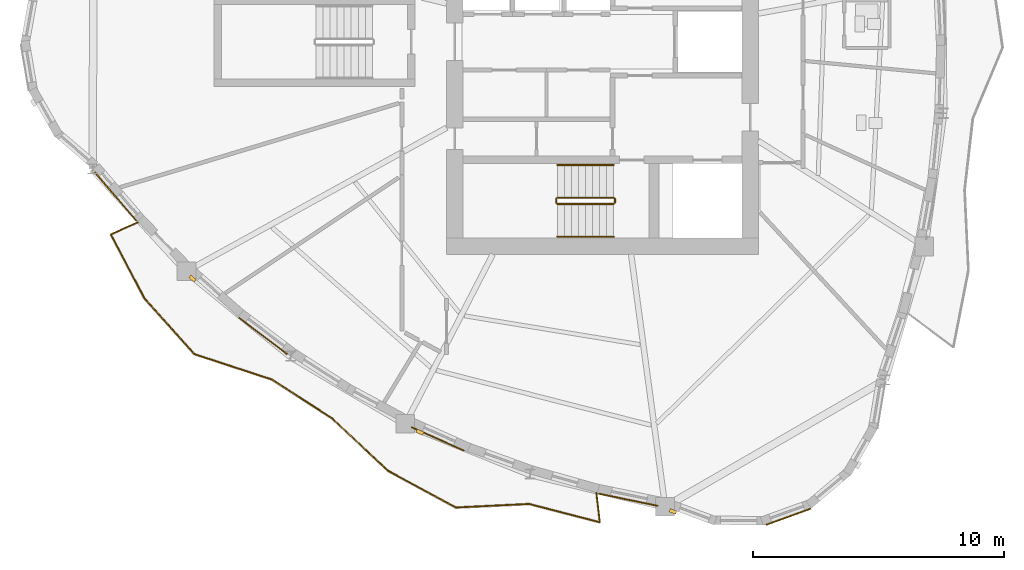
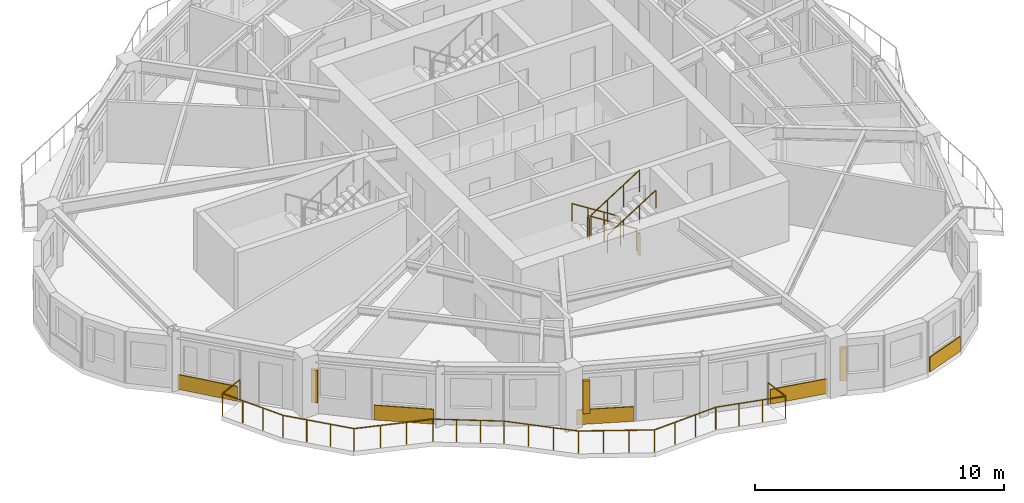
# One storey, part 9 of 12: 7 railings, 5 coverings, 3 shading devices.
"""IFC4 building model written with IfcOpenShell, lengths in metres."""

from ifc_helpers import new_model, si_unit, direction, frame, origin, origin_2d, place, context, subcontext, project, spatial, rectangle, circle, extrude, source, transform, mapped, material, layer, layer_set, type_object, element, save


model = new_model("IFC4")

# Units and contexts
model_context = context("Model", 3, precision=1e-05, world=origin(), true_north=direction((0.0, 1.0)))
body_context = subcontext(model_context, "Body", "Model", "MODEL_VIEW")
ifc_project = project(units=[si_unit("LENGTHUNIT", "METRE"), si_unit("AREAUNIT", "SQUARE_METRE"), si_unit("VOLUMEUNIT", "CUBIC_METRE"), si_unit("PLANEANGLEUNIT", "RADIAN"), si_unit("MASSUNIT", "GRAM", prefix="KILO")], contexts=[model_context])

# Site, building, storey
site_placement = place(None, origin())
site = spatial("IfcSite", under=ifc_project, at=site_placement, CompositionType="ELEMENT")
building_placement = place(site_placement, origin())
building = spatial("IfcBuilding", under=site, at=building_placement, Name="Qafzar Sky-Pleat Residences", CompositionType="ELEMENT")
storey_placement = place(building_placement, frame((0.0, 0.0, 145.800048828125)))
storey = spatial("IfcBuildingStorey", under=building, at=storey_placement, Name="L43", CompositionType="ELEMENT", Elevation=145.800048828125)

# Shading devices
ifc_material_1 = material(Name="Honed Riyadh limestone solar fin", Category="masonry")
ifc_layer_1 = layer(ifc_material_1, 0.139892578125)
ifc_layer_set_1 = layer_set([ifc_layer_1], Name="Honed Riyadh limestone solar fin")
shading_device_type = type_object("IfcShadingDeviceType", Name="SHD-FIN-STONE", PredefinedType="SHUTTER", material=ifc_layer_set_1)
shared_shape_1 = source(origin(), body_context, "Body", "SweptSolid", [
    extrude(rectangle(XDim=0.139892578125, YDim=0.280029296875, at=origin_2d()), origin(), (0.0, 0.0, 1.0), 1.60009765625),
])
for number, where, z_axis, x_axis, name in (
    (1, (14.044189453125, 16.58251953125, 0.599853515625), (0.0, 0.0, 1.0), (-0.660154622543, -0.751129732027, 0.0), "L43 Limestone Solar Fin 9"),
    (2, (23.09228515625, 10.475341796875, 0.599853515625), (0.0, 0.0, 1.0), (-0.407514902881, -0.913198556684, 0.0), "L43 Limestone Solar Fin 13"),
    (3, (33.1533203125, 7.322021484375, 0.599853515625), (0.0, 0.0, 1.0), (-0.349548623526, -0.936918224709, 0.0), "L43 Limestone Solar Fin 17"),
):
    element("IfcShadingDevice", number, at=place(storey_placement, frame(where, z_axis=z_axis, x_axis=x_axis)), inside=storey, type_object=shading_device_type, Name=name, PredefinedType="SHUTTER", context=body_context, shape_type="MappedRepresentation", body=[
        mapped(shared_shape_1, transform((0.0, 0.0, 0.0), x_axis=(1.0, 0.0, 0.0), y_axis=(0.0, 1.0, 0.0), z_axis=(0.0, 0.0, 1.0), scale=1.0)),
    ])

# Covering
ifc_material_2 = material(Name="Honed Riyadh Tuwaiq limestone cladding", Category="masonry")
ifc_layer_2 = layer(ifc_material_2, 0.044921875)
ifc_layer_set_2 = layer_set([ifc_layer_2], Name="Honed Riyadh Tuwaiq limestone cladding")
covering_type = type_object("IfcCoveringType", Name="COV-CLAD-STONE", PredefinedType="CLADDING", material=ifc_layer_set_2)
shared_shape_2 = source(origin(), body_context, "Body", "SweptSolid", [
    extrude(rectangle(XDim=1.897705078125, YDim=0.044921875, at=origin_2d()), origin(), (0.0, 0.0, 1.0), 0.719970703125),
])
covering_1_placement = place(storey_placement, frame((37.74560546875, 7.111328125, 0.02001953125), z_axis=(0.0, 0.0, 1.0), x_axis=(0.940241244016, 0.340509035199, 0.0)))
element("IfcCovering", 4, at=covering_1_placement, inside=storey, type_object=covering_type, Name="L43 Riyadh Limestone Spandrel Cladding 19", PredefinedType="CLADDING", context=body_context, shape_type="MappedRepresentation", body=[
    mapped(shared_shape_2, transform((0.0, 0.0, 0.0), x_axis=(1.0, 0.0, 0.0), y_axis=(0.0, 1.0, 0.0), z_axis=(0.0, 0.0, 1.0), scale=1.0)),
])

# Railing
ifc_material_3 = material(Name="Laminated glass and bronze steel balustrade", Category="steel")
railing_type_1 = type_object("IfcRailingType", Name="RAIL-BAL-1100", PredefinedType="BALUSTRADE", material=ifc_material_3)
shared_shape_3 = source(origin(), body_context, "Body", "SweptSolid", [
    extrude(circle(Radius=0.02392578125, at=origin_2d()), frame((0.0, 0.0, 1.076171875), z_axis=(-0.913554917383, -0.406715395486, 0.0), x_axis=(0.406715395486, -0.913554917383, 0.0)), (0.0, 0.0, 1.0), 1.177734375),
    extrude(circle(Radius=0.02392578125, at=origin_2d()), frame((-1.075927734375, -0.47900390625, 1.076171875), z_axis=(0.464378787341, -0.885636687286, 0.0), x_axis=(0.885636687286, 0.464378787341, 0.0)), (0.0, 0.0, 1.0), 2.87060546875),
    extrude(circle(Radius=0.02392578125, at=origin_2d()), frame((0.257080078125, -3.021240234375, 1.076171875), z_axis=(0.667835474356, -0.744308927255, 0.0), x_axis=(0.744308927255, 0.667835474356, 0.0)), (0.0, 0.0, 1.0), 2.98828125),
    extrude(circle(Radius=0.02392578125, at=origin_2d()), frame((2.252685546875, -5.245361328125, 1.076171875), z_axis=(0.950320557295, -0.311272932301, 0.0), x_axis=(0.311272932301, 0.950320557295, 0.0)), (0.0, 0.0, 1.0), 3.239990234375),
    extrude(circle(Radius=0.02392578125, at=origin_2d()), frame((5.331787109375, -6.25390625, 1.076171875), z_axis=(0.840382441824, -0.541993866639, 0.0), x_axis=(0.541993866639, 0.840382441824, 0.0)), (0.0, 0.0, 1.0), 2.84326171875),
    extrude(circle(Radius=0.02392578125, at=origin_2d()), frame((7.72119140625, -7.794921875, 1.076171875), z_axis=(0.730091672897, -0.683349214652, 0.0), x_axis=(0.683349214652, 0.730091672897, 0.0)), (0.0, 0.0, 1.0), 3.060791015625),
    extrude(circle(Radius=0.02392578125, at=origin_2d()), frame((9.955810546875, -9.886474609375, 1.076171875), z_axis=(0.879017095741, -0.476790253041, 0.0), x_axis=(0.476790253041, 0.879017095741, 0.0)), (0.0, 0.0, 1.0), 3.054931640625),
    extrude(circle(Radius=0.02392578125, at=origin_2d()), frame((12.64111328125, -11.343017578125, 1.076171875), z_axis=(0.998812648655, 0.048716453959, 0.0), x_axis=(-0.048716453959, 0.998812648655, 0.0)), (0.0, 0.0, 1.0), 2.921630859375),
    extrude(circle(Radius=0.02392578125, at=origin_2d()), frame((15.559326171875, -11.20068359375, 1.076171875), z_axis=(0.967804487232, -0.251703147565, 0.0), x_axis=(0.251703147565, 0.967804487232, 0.0)), (0.0, 0.0, 1.0), 2.904052734375),
    extrude(circle(Radius=0.02392578125, at=origin_2d()), frame((18.369873046875, -11.931640625, 1.076171875), z_axis=(-0.1166849202, 0.993168983304, 0.0), x_axis=(-0.993168983304, -0.1166849202, 0.0)), (0.0, 0.0, 1.0), 1.177978515625),
    extrude(circle(Radius=0.02099609375, at=origin_2d()), origin(), (0.0, 0.0, 1.0), 1.052001953125),
    extrude(circle(Radius=0.02099609375, at=origin_2d()), frame((-1.075927734375, -0.47900390625, 0.0)), (0.0, 0.0, 1.0), 1.052001953125),
    extrude(circle(Radius=0.02099609375, at=origin_2d()), frame((-0.631591796875, -1.326416015625, 0.0)), (0.0, 0.0, 1.0), 1.052001953125),
    extrude(circle(Radius=0.02099609375, at=origin_2d()), frame((-0.187255859375, -2.173828125, 0.0)), (0.0, 0.0, 1.0), 1.052001953125),
    extrude(circle(Radius=0.02099609375, at=origin_2d()), frame((0.257080078125, -3.021240234375, 0.0)), (0.0, 0.0, 1.0), 1.052001953125),
    extrude(circle(Radius=0.02099609375, at=origin_2d()), frame((0.92236328125, -3.7626953125, 0.0)), (0.0, 0.0, 1.0), 1.052001953125),
    extrude(circle(Radius=0.02099609375, at=origin_2d()), frame((1.58740234375, -4.50390625, 0.0)), (0.0, 0.0, 1.0), 1.052001953125),
    extrude(circle(Radius=0.02099609375, at=origin_2d()), frame((2.252685546875, -5.245361328125, 0.0)), (0.0, 0.0, 1.0), 1.052001953125),
    extrude(circle(Radius=0.02099609375, at=origin_2d()), frame((3.279052734375, -5.58154296875, 0.0)), (0.0, 0.0, 1.0), 1.052001953125),
    extrude(circle(Radius=0.02099609375, at=origin_2d()), frame((4.305419921875, -5.917724609375, 0.0)), (0.0, 0.0, 1.0), 1.052001953125),
    extrude(circle(Radius=0.02099609375, at=origin_2d()), frame((5.331787109375, -6.25390625, 0.0)), (0.0, 0.0, 1.0), 1.052001953125),
    extrude(circle(Radius=0.02099609375, at=origin_2d()), frame((6.128173828125, -6.767578125, 0.0)), (0.0, 0.0, 1.0), 1.052001953125),
    extrude(circle(Radius=0.02099609375, at=origin_2d()), frame((6.9248046875, -7.28125, 0.0)), (0.0, 0.0, 1.0), 1.052001953125),
    extrude(circle(Radius=0.02099609375, at=origin_2d()), frame((7.72119140625, -7.794921875, 0.0)), (0.0, 0.0, 1.0), 1.052001953125),
    extrude(circle(Radius=0.02099609375, at=origin_2d()), frame((8.466064453125, -8.4921875, 0.0)), (0.0, 0.0, 1.0), 1.052001953125),
    extrude(circle(Radius=0.02099609375, at=origin_2d()), frame((9.2109375, -9.189208984375, 0.0)), (0.0, 0.0, 1.0), 1.052001953125),
    extrude(circle(Radius=0.02099609375, at=origin_2d()), frame((9.955810546875, -9.886474609375, 0.0)), (0.0, 0.0, 1.0), 1.052001953125),
    extrude(circle(Radius=0.02099609375, at=origin_2d()), frame((10.850830078125, -10.3720703125, 0.0)), (0.0, 0.0, 1.0), 1.052001953125),
    extrude(circle(Radius=0.02099609375, at=origin_2d()), frame((11.74609375, -10.857421875, 0.0)), (0.0, 0.0, 1.0), 1.052001953125),
    extrude(circle(Radius=0.02099609375, at=origin_2d()), frame((12.64111328125, -11.343017578125, 0.0)), (0.0, 0.0, 1.0), 1.052001953125),
    extrude(circle(Radius=0.02099609375, at=origin_2d()), frame((13.61376953125, -11.295654296875, 0.0)), (0.0, 0.0, 1.0), 1.052001953125),
    extrude(circle(Radius=0.02099609375, at=origin_2d()), frame((14.586669921875, -11.248046875, 0.0)), (0.0, 0.0, 1.0), 1.052001953125),
    extrude(circle(Radius=0.02099609375, at=origin_2d()), frame((15.559326171875, -11.20068359375, 0.0)), (0.0, 0.0, 1.0), 1.052001953125),
    extrude(circle(Radius=0.02099609375, at=origin_2d()), frame((16.49609375, -11.4443359375, 0.0)), (0.0, 0.0, 1.0), 1.052001953125),
    extrude(circle(Radius=0.02099609375, at=origin_2d()), frame((17.43310546875, -11.68798828125, 0.0)), (0.0, 0.0, 1.0), 1.052001953125),
    extrude(circle(Radius=0.02099609375, at=origin_2d()), frame((18.369873046875, -11.931640625, 0.0)), (0.0, 0.0, 1.0), 1.052001953125),
    extrude(circle(Radius=0.02099609375, at=origin_2d()), frame((18.232421875, -10.76171875, 0.0)), (0.0, 0.0, 1.0), 1.052001953125),
])
railing_1_placement = place(storey_placement, frame((11.877197265625, 18.821533203125, 0.0)))
element("IfcRailing", 5, at=railing_1_placement, inside=storey, type_object=railing_type_1, Name="L43 Pleated Balcony 3 Balustrade", PredefinedType="BALUSTRADE", context=body_context, shape_type="MappedRepresentation", body=[
    mapped(shared_shape_3, transform((0.0, 0.0, 0.0), x_axis=(1.0, 0.0, 0.0), y_axis=(0.0, 1.0, 0.0), z_axis=(0.0, 0.0, 1.0), scale=1.0)),
])

# Coverings
shared_shape_4 = source(origin(), body_context, "Body", "SweptSolid", [
    extrude(rectangle(XDim=2.53173828125, YDim=0.044921875, at=origin_2d()), origin(), (0.0, 0.0, 1.0), 0.719970703125),
])
covering_2_placement = place(storey_placement, frame((10.981689453125, 19.851806640625, 0.02001953125), z_axis=(0.0, 0.0, 1.0), x_axis=(0.650337506648, -0.759645395857, 0.0)))
element("IfcCovering", 6, at=covering_2_placement, inside=storey, type_object=covering_type, Name="L43 Riyadh Limestone Spandrel Cladding 7", PredefinedType="CLADDING", context=body_context, shape_type="MappedRepresentation", body=[
    mapped(shared_shape_4, transform((0.0, 0.0, 0.0), x_axis=(1.0, 0.0, 0.0), y_axis=(0.0, 1.0, 0.0), z_axis=(0.0, 0.0, 1.0), scale=1.0)),
])
shared_shape_5 = source(origin(), body_context, "Body", "SweptSolid", [
    extrude(rectangle(XDim=2.411865234375, YDim=0.044921875, at=origin_2d()), origin(), (0.0, 0.0, 1.0), 0.719970703125),
])
covering_3_placement = place(storey_placement, frame((16.85595703125, 14.297119140625, 0.02001953125), z_axis=(0.0, 0.0, 1.0), x_axis=(0.798034410528, -0.602611881408, 0.0)))
element("IfcCovering", 7, at=covering_3_placement, inside=storey, type_object=covering_type, Name="L43 Riyadh Limestone Spandrel Cladding 10", PredefinedType="CLADDING", context=body_context, shape_type="MappedRepresentation", body=[
    mapped(shared_shape_5, transform((0.0, 0.0, 0.0), x_axis=(1.0, 0.0, 0.0), y_axis=(0.0, 1.0, 0.0), z_axis=(0.0, 0.0, 1.0), scale=1.0)),
])
shared_shape_6 = source(origin(), body_context, "Body", "SweptSolid", [
    extrude(rectangle(XDim=2.290283203125, YDim=0.044921875, at=origin_2d()), origin(), (0.0, 0.0, 1.0), 0.719970703125),
])
covering_4_placement = place(storey_placement, frame((23.803955078125, 10.204833984375, 0.02001953125), z_axis=(0.0, 0.0, 1.0), x_axis=(0.913204478407, -0.407501632655, 0.0)))
element("IfcCovering", 8, at=covering_4_placement, inside=storey, type_object=covering_type, Name="L43 Riyadh Limestone Spandrel Cladding 13", PredefinedType="CLADDING", context=body_context, shape_type="MappedRepresentation", body=[
    mapped(shared_shape_6, transform((0.0, 0.0, 0.0), x_axis=(1.0, 0.0, 0.0), y_axis=(0.0, 1.0, 0.0), z_axis=(0.0, 0.0, 1.0), scale=1.0)),
])
shared_shape_7 = source(origin(), body_context, "Body", "SweptSolid", [
    extrude(rectangle(XDim=2.410400390625, YDim=0.044921875, at=origin_2d()), origin(), (0.0, 0.0, 1.0), 0.719970703125),
])
covering_5_placement = place(storey_placement, frame((31.377685546875, 7.786865234375, 0.02001953125), z_axis=(0.0, 0.0, 1.0), x_axis=(0.979314287188, -0.202345068902, 0.0)))
element("IfcCovering", 9, at=covering_5_placement, inside=storey, type_object=covering_type, Name="L43 Riyadh Limestone Spandrel Cladding 16", PredefinedType="CLADDING", context=body_context, shape_type="MappedRepresentation", body=[
    mapped(shared_shape_7, transform((0.0, 0.0, 0.0), x_axis=(1.0, 0.0, 0.0), y_axis=(0.0, 1.0, 0.0), z_axis=(0.0, 0.0, 1.0), scale=1.0)),
])

# Railings
ifc_material_4 = material(Name="Painted Steel S355 stair guardrail", Category="steel")
railing_type_2 = type_object("IfcRailingType", Name="RAIL-STAIR-GUARD", PredefinedType="GUARDRAIL", material=ifc_material_4)
shared_shape_8 = source(origin(), body_context, "Body", "SweptSolid", [
    extrude(circle(Radius=0.02392578125, at=origin_2d()), frame((0.0, 0.0, 1.076171875), z_axis=(0.0, -1.0, 0.0), x_axis=(1.0, 0.0, 0.0)), (0.0, 0.0, 1.0), 0.14990234375),
    extrude(circle(Radius=0.02099609375, at=origin_2d()), origin(), (0.0, 0.0, 1.0), 1.052001953125),
    extrude(circle(Radius=0.02099609375, at=origin_2d()), frame((0.0, -0.14990234375, 0.0)), (0.0, 0.0, 1.0), 1.052001953125),
])
for number, where, name in (
    (10, (28.510009765625, 19.75, 1.599853515625), "L43 ST1 stair guard 2"),
    (11, (30.85009765625, 19.75, 0.0), "L43 ST1 stair guard 4"),
):
    element("IfcRailing", number, at=place(storey_placement, frame(where)), inside=storey, type_object=railing_type_2, Name=name, PredefinedType="GUARDRAIL", context=body_context, shape_type="MappedRepresentation", body=[
        mapped(shared_shape_8, transform((0.0, 0.0, 0.0), x_axis=(1.0, 0.0, 0.0), y_axis=(0.0, 1.0, 0.0), z_axis=(0.0, 0.0, 1.0), scale=1.0)),
    ])
shared_shape_9 = source(origin(), body_context, "Body", "SweptSolid", [
    extrude(circle(Radius=0.02392578125, at=origin_2d()), frame((0.0, 0.0, 1.076171875), z_axis=(-0.8442293374, 0.0, 0.53598211339), x_axis=(0.0, -1.0, 0.0)), (0.0, 0.0, 1.0), 2.6533203125),
    extrude(circle(Radius=0.02099609375, at=origin_2d()), origin(), (0.0, 0.0, 1.0), 1.052001953125),
    extrude(circle(Radius=0.02099609375, at=origin_2d()), frame((-0.74658203125, 0.0, 0.47412109375)), (0.0, 0.0, 1.0), 1.052001953125),
    extrude(circle(Radius=0.02099609375, at=origin_2d()), frame((-1.493408203125, 0.0, 0.947998046875)), (0.0, 0.0, 1.0), 1.052001953125),
    extrude(circle(Radius=0.02099609375, at=origin_2d()), frame((-2.239990234375, 0.0, 1.422119140625)), (0.0, 0.0, 1.0), 1.052001953125),
])
railing_2_placement = place(storey_placement, frame((30.800048828125, 19.800048828125, 0.177734375)))
element("IfcRailing", 12, at=railing_2_placement, inside=storey, type_object=railing_type_2, Name="L43 ST1 stair guard 1", PredefinedType="GUARDRAIL", context=body_context, shape_type="MappedRepresentation", body=[
    mapped(shared_shape_9, transform((0.0, 0.0, 0.0), x_axis=(1.0, 0.0, 0.0), y_axis=(0.0, 1.0, 0.0), z_axis=(0.0, 0.0, 1.0), scale=1.0)),
])
shared_shape_10 = source(origin(), body_context, "Body", "SweptSolid", [
    extrude(circle(Radius=0.02392578125, at=origin_2d()), frame((0.0, 0.0, 1.076171875), z_axis=(0.8442293374, 0.0, 0.53598211339), x_axis=(0.0, 1.0, 0.0)), (0.0, 0.0, 1.0), 2.6533203125),
    extrude(circle(Radius=0.02099609375, at=origin_2d()), origin(), (0.0, 0.0, 1.0), 1.052001953125),
    extrude(circle(Radius=0.02099609375, at=origin_2d()), frame((0.74658203125, 0.0, 0.47412109375)), (0.0, 0.0, 1.0), 1.052001953125),
    extrude(circle(Radius=0.02099609375, at=origin_2d()), frame((1.493408203125, 0.0, 0.947998046875)), (0.0, 0.0, 1.0), 1.052001953125),
    extrude(circle(Radius=0.02099609375, at=origin_2d()), frame((2.239990234375, 0.0, 1.422119140625)), (0.0, 0.0, 1.0), 1.052001953125),
])
railing_3_placement = place(storey_placement, frame((28.56005859375, 19.550048828125, 1.77783203125)))
element("IfcRailing", 13, at=railing_3_placement, inside=storey, type_object=railing_type_2, Name="L43 ST1 stair guard 3", PredefinedType="GUARDRAIL", context=body_context, shape_type="MappedRepresentation", body=[
    mapped(shared_shape_10, transform((0.0, 0.0, 0.0), x_axis=(1.0, 0.0, 0.0), y_axis=(0.0, 1.0, 0.0), z_axis=(0.0, 0.0, 1.0), scale=1.0)),
])
ifc_material_5 = material(Name="Brushed stainless steel handrail", Category="steel")
railing_type_3 = type_object("IfcRailingType", Name="RAIL-STAIR-HAND", PredefinedType="HANDRAIL", material=ifc_material_5)
shared_shape_11 = source(origin(), body_context, "Body", "SweptSolid", [
    extrude(circle(Radius=0.02392578125, at=origin_2d()), frame((0.0, 0.0, 0.8759765625), z_axis=(-0.8442293374, 0.0, 0.53598211339), x_axis=(0.0, -1.0, 0.0)), (0.0, 0.0, 1.0), 2.6533203125),
    extrude(circle(Radius=0.02099609375, at=origin_2d()), origin(), (0.0, 0.0, 1.0), 0.851806640625),
    extrude(circle(Radius=0.02099609375, at=origin_2d()), frame((-0.74658203125, 0.0, 0.47412109375)), (0.0, 0.0, 1.0), 0.851806640625),
    extrude(circle(Radius=0.02099609375, at=origin_2d()), frame((-1.493408203125, 0.0, 0.947998046875)), (0.0, 0.0, 1.0), 0.851806640625),
    extrude(circle(Radius=0.02099609375, at=origin_2d()), frame((-2.239990234375, 0.0, 1.422119140625)), (0.0, 0.0, 1.0), 0.851806640625),
])
railing_4_placement = place(storey_placement, frame((30.800048828125, 21.10009765625, 0.177734375)))
element("IfcRailing", 14, at=railing_4_placement, inside=storey, type_object=railing_type_3, Name="L43 ST1 stair handrail 1", PredefinedType="HANDRAIL", context=body_context, shape_type="MappedRepresentation", body=[
    mapped(shared_shape_11, transform((0.0, 0.0, 0.0), x_axis=(1.0, 0.0, 0.0), y_axis=(0.0, 1.0, 0.0), z_axis=(0.0, 0.0, 1.0), scale=1.0)),
])
shared_shape_12 = source(origin(), body_context, "Body", "SweptSolid", [
    extrude(circle(Radius=0.02392578125, at=origin_2d()), frame((0.0, 0.0, 0.8759765625), z_axis=(0.8442293374, 0.0, 0.53598211339), x_axis=(0.0, 1.0, 0.0)), (0.0, 0.0, 1.0), 2.6533203125),
    extrude(circle(Radius=0.02099609375, at=origin_2d()), origin(), (0.0, 0.0, 1.0), 0.851806640625),
    extrude(circle(Radius=0.02099609375, at=origin_2d()), frame((0.74658203125, 0.0, 0.47412109375)), (0.0, 0.0, 1.0), 0.851806640625),
    extrude(circle(Radius=0.02099609375, at=origin_2d()), frame((1.493408203125, 0.0, 0.947998046875)), (0.0, 0.0, 1.0), 0.851806640625),
    extrude(circle(Radius=0.02099609375, at=origin_2d()), frame((2.239990234375, 0.0, 1.422119140625)), (0.0, 0.0, 1.0), 0.851806640625),
])
railing_5_placement = place(storey_placement, frame((28.56005859375, 18.25, 1.77783203125)))
element("IfcRailing", 15, at=railing_5_placement, inside=storey, type_object=railing_type_3, Name="L43 ST1 stair handrail 2", PredefinedType="HANDRAIL", context=body_context, shape_type="MappedRepresentation", body=[
    mapped(shared_shape_12, transform((0.0, 0.0, 0.0), x_axis=(1.0, 0.0, 0.0), y_axis=(0.0, 1.0, 0.0), z_axis=(0.0, 0.0, 1.0), scale=1.0)),
])

save(model, "model.ifc")
